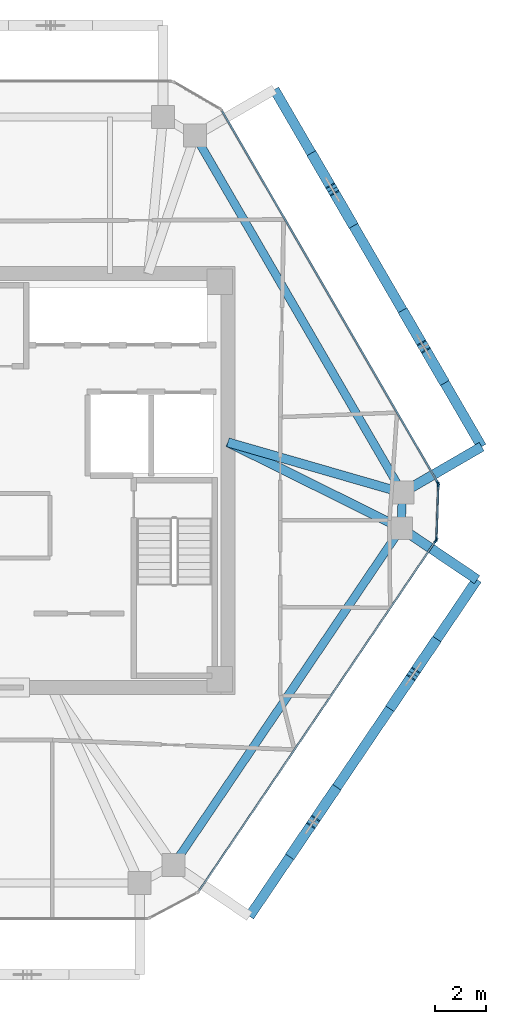
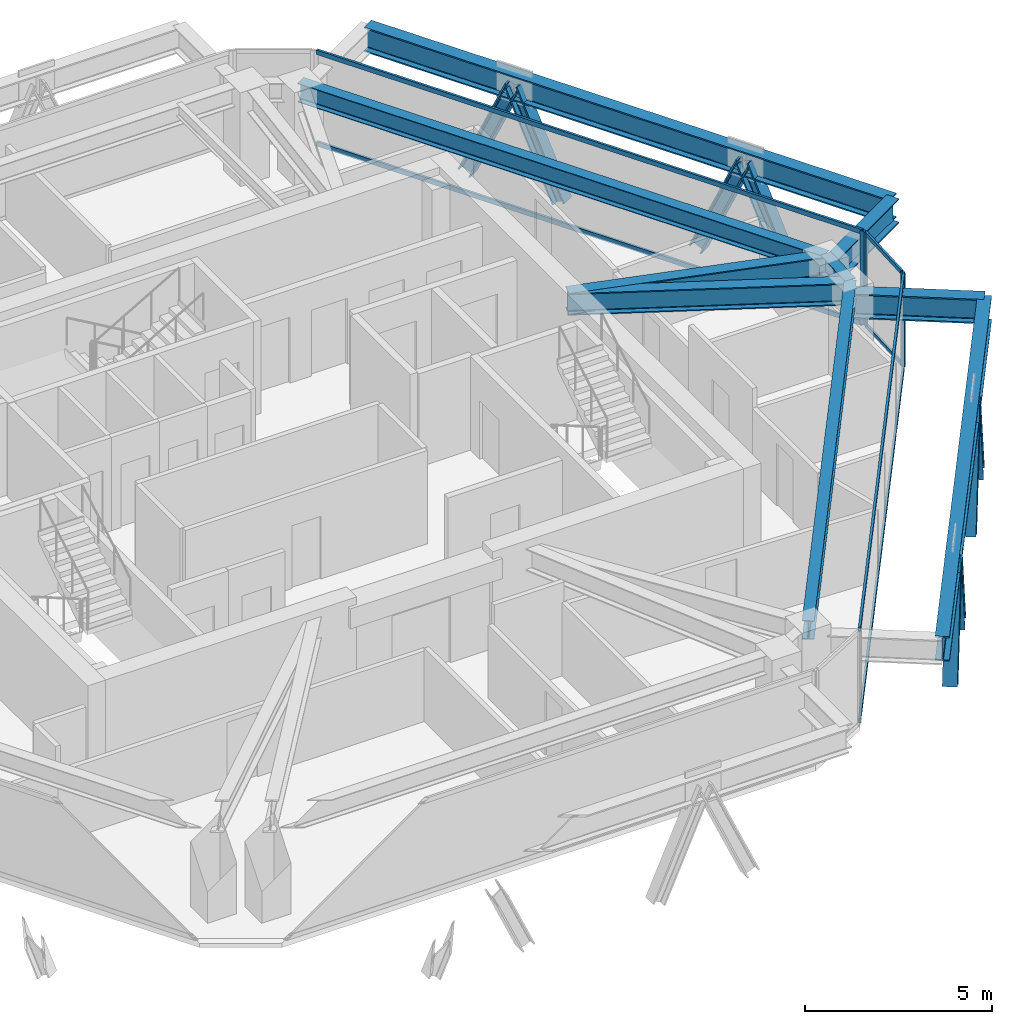
# One storey, part 5 of 12: 18 members, 9 beams, 3 elements without a shape of their own.
"""IFC4 building model written with IfcOpenShell, lengths in metres."""

import ifcopenshell
import ifcopenshell.guid

model = None  # the IFC model being written
_history = None  # IfcOwnerHistory: only IFC2X3 demands one
_inside = {}  # id of a spatial element -> (the spatial element, [elements in it])
_under = {}  # id of a project, library or spatial element -> (it, [spatial elements below it])
_declared = {}  # id of a project -> (the project, [libraries it declares])
_typed = {}  # id of a type object -> (the type object, [elements of that type])
_made_of = {}  # id of a material, layer set ... -> (it, [elements and type objects made of it])


def new_model(schema):
    """Start an empty IFC model of exactly this schema.

    Asked for "IFC4X3", IfcOpenShell would pick the latest addendum, in which some entities
    have other attributes; the version numbers below select the first issue.
    IFC2X3 requires an IfcOwnerHistory on every rooted entity: one is made here for all.
    """
    global model, _history
    if schema == "IFC4X3":
        model = ifcopenshell.file(schema_version=(4, 3, 0, 0))
    else:
        model = ifcopenshell.file(schema=schema)
    _inside.clear()
    _under.clear()
    _declared.clear()
    _typed.clear()
    _made_of.clear()
    _history = None
    if model.schema == "IFC2X3":
        org = make("IfcOrganization", Name="unknown")
        user = make(
            "IfcPersonAndOrganization",
            ThePerson=make("IfcPerson", FamilyName="unknown"),
            TheOrganization=org,
        )
        app = make(
            "IfcApplication",
            ApplicationDeveloper=org,
            Version="unknown",
            ApplicationFullName="unknown",
            ApplicationIdentifier="unknown",
        )
        _history = make(
            "IfcOwnerHistory",
            OwningUser=user,
            OwningApplication=app,
            ChangeAction="ADDED",
            CreationDate=0,
        )
    return model


def make(cls, **values):
    """One entity of the class cls with the attributes given. An attribute that is None is left unset."""
    return model.create_entity(
        cls, **{name: value for name, value in values.items() if value is not None}
    )


def rooted(cls, **values):
    """An entity with a GlobalId (a new one), such as an element, a storey or a relation."""
    return make(cls, GlobalId=ifcopenshell.guid.new(), OwnerHistory=_history, **values)


def si_unit(unit_type, name, prefix=None):
    """IfcSIUnit, for example si_unit("LENGTHUNIT", "METRE", prefix="MILLI")."""
    return make("IfcSIUnit", UnitType=unit_type, Prefix=prefix, Name=name)


def assignment(units):
    """IfcUnitAssignment: the units of a project."""
    return None if units is None else make("IfcUnitAssignment", Units=units)


def point(xyz):
    """IfcCartesianPoint."""
    return None if xyz is None else make("IfcCartesianPoint", Coordinates=xyz)


def direction(xyz):
    """IfcDirection."""
    return None if xyz is None else make("IfcDirection", DirectionRatios=xyz)


def frame(location, z_axis=None, x_axis=None):
    """IfcAxis2Placement3D, a coordinate frame: its origin and axes. An axis left out is left unset."""
    return make(
        "IfcAxis2Placement3D",
        Location=point(location),
        Axis=direction(z_axis),
        RefDirection=direction(x_axis),
    )


def frame_2d(location, x_axis=None):
    """IfcAxis2Placement2D, a coordinate frame in the plane: its origin and x axis."""
    return make(
        "IfcAxis2Placement2D", Location=point(location), RefDirection=direction(x_axis)
    )


def origin():
    """The frame at (0, 0, 0) with its axes left unset."""
    return frame((0.0, 0.0, 0.0))


def origin_2d():
    """The frame at (0, 0) in the plane with its x axis left unset."""
    return frame_2d((0.0, 0.0))


def place(relative_to, where):
    """IfcLocalPlacement: puts the frame where relative to a parent placement (None: the world)."""
    return make(
        "IfcLocalPlacement", PlacementRelTo=relative_to, RelativePlacement=where
    )


def context(
    kind, dimensions, precision=None, world=None, true_north=None, identifier=None
):
    """IfcGeometricRepresentationContext, for example the 3D "Model" context."""
    return make(
        "IfcGeometricRepresentationContext",
        ContextIdentifier=identifier,
        ContextType=kind,
        CoordinateSpaceDimension=dimensions,
        Precision=precision,
        WorldCoordinateSystem=world,
        TrueNorth=true_north,
    )


def subcontext(parent, identifier, kind, view, scale=None):
    """IfcGeometricRepresentationSubContext, for example "Body" below "Model"."""
    return make(
        "IfcGeometricRepresentationSubContext",
        ContextIdentifier=identifier,
        ContextType=kind,
        ParentContext=parent,
        TargetScale=scale,
        TargetView=view,
    )


def project(units=None, contexts=None):
    """IfcProject with its units and contexts."""
    return rooted(
        "IfcProject",
        Name="project",
        RepresentationContexts=contexts,
        UnitsInContext=assignment(units),
    )


def spatial(cls, under=None, at=None, **own):
    """A site, building, storey or space (cls), placed at a placement, below another one or the project."""
    s = rooted(cls, ObjectPlacement=at, **own)
    if under is not None:
        _under.setdefault(under.id(), (under, []))[1].append(s)
    return s


def profile(cls, at=None, kind="AREA", **sizes):
    """A parametric profile (cls). Its sizes go by their IFC names, for example OverallWidth=200.0."""
    return make(cls, ProfileType=kind, Position=at, **sizes)


def rectangle(**sizes):
    """IfcRectangleProfileDef."""
    return profile("IfcRectangleProfileDef", **sizes)


def i_section(**sizes):
    """IfcIShapeProfileDef."""
    return profile("IfcIShapeProfileDef", **sizes)


def extrude(swept, where, along, depth):
    """IfcExtrudedAreaSolid: the profile swept, set in the frame where, extruded along a direction by depth."""
    return make(
        "IfcExtrudedAreaSolid",
        SweptArea=swept,
        Position=where,
        ExtrudedDirection=direction(along),
        Depth=depth,
    )


def shape(context_of_items, identifier, shape_type, items):
    """IfcShapeRepresentation: the items that make up one representation, for example the "Body"."""
    return make(
        "IfcShapeRepresentation",
        ContextOfItems=context_of_items,
        RepresentationIdentifier=identifier,
        RepresentationType=shape_type,
        Items=items,
    )


def source(mapping_origin, context_of_items, identifier, shape_type, items):
    """IfcRepresentationMap: a shape defined once, which mapped items show again and again."""
    return make(
        "IfcRepresentationMap",
        MappingOrigin=mapping_origin,
        MappedRepresentation=shape(context_of_items, identifier, shape_type, items),
    )


def transform(
    local_origin,
    x_axis=None,
    y_axis=None,
    z_axis=None,
    scale=None,
    scale2=None,
    scale3=None,
    uniform=True,
):
    """IfcCartesianTransformationOperator3D, or its non-uniform kind. x_axis, y_axis, z_axis: its Axis1, 2, 3."""
    if uniform:
        return make(
            "IfcCartesianTransformationOperator3D",
            Axis1=direction(x_axis),
            Axis2=direction(y_axis),
            LocalOrigin=point(local_origin),
            Scale=scale,
            Axis3=direction(z_axis),
        )
    return make(
        "IfcCartesianTransformationOperator3DnonUniform",
        Axis1=direction(x_axis),
        Axis2=direction(y_axis),
        LocalOrigin=point(local_origin),
        Scale=scale,
        Axis3=direction(z_axis),
        Scale2=scale2,
        Scale3=scale3,
    )


def mapped(mapping_source, mapping_target):
    """IfcMappedItem: shows the shape of a source again, moved by a transform."""
    return make(
        "IfcMappedItem", MappingSource=mapping_source, MappingTarget=mapping_target
    )


def material(Name=None, Category=None):
    """IfcMaterial."""
    return make("IfcMaterial", Name=Name, Category=Category)


def layer(
    of_material, thickness, ventilated=None, Name=None, Category=None, Priority=None
):
    """IfcMaterialLayer: one layer of a wall or slab, of a material (None: an air gap)."""
    return make(
        "IfcMaterialLayer",
        Material=of_material,
        LayerThickness=thickness,
        IsVentilated=ventilated,
        Name=Name,
        Category=Category,
        Priority=Priority,
    )


def layer_set(layers, Name=None):
    """IfcMaterialLayerSet."""
    return make("IfcMaterialLayerSet", MaterialLayers=layers, LayerSetName=Name)


def material_profile(
    of_material, cross_section, Name=None, Category=None, Priority=None
):
    """IfcMaterialProfile: a cross section and its material."""
    return make(
        "IfcMaterialProfile",
        Name=Name,
        Material=of_material,
        Profile=cross_section,
        Priority=Priority,
        Category=Category,
    )


def profile_set(profiles, Name=None, composite=None):
    """IfcMaterialProfileSet."""
    return make(
        "IfcMaterialProfileSet",
        Name=Name,
        MaterialProfiles=profiles,
        CompositeProfile=composite,
    )


def made_of(thing, what):
    """Note that an element or type object is made of a material, layer set ...; save() writes the relation."""
    if what is not None:
        _made_of.setdefault(what.id(), (what, []))[1].append(thing)
    return thing


def type_object(cls, material=None, **own):
    """A type object (cls), such as IfcWallType, which elements share."""
    return made_of(rooted(cls, **own), material)


def type_shapes(of_type, sources):
    """Give a type object the sources (RepresentationMaps) that its elements show as mapped items."""
    of_type.RepresentationMaps = sources


def element(
    cls,
    number,
    at=None,
    inside=None,
    cuts=None,
    type_object=None,
    material=None,
    context=None,
    identifier="Body",
    shape_type=None,
    held_by="IfcProductDefinitionShape",
    body=None,
    shapes=None,
    **own,
):
    """One element of the class cls, such as IfcWall. Its Tag is "e" and its number.

    at: its placement. inside: the storey or other place that contains it. cuts: it is an
    opening in that element (IfcRelVoidsElement). A single representation is given by context,
    identifier, shape_type and body (its items); several are given by shapes. held_by: the class
    of the entity that holds the representations. save() writes the other relations.
    """
    e = rooted(cls, Tag="e%d" % number, ObjectPlacement=at, **own)
    if body is not None:
        shapes = [shape(context, identifier, shape_type, body)]
    if shapes is not None:
        e.Representation = make(held_by, Representations=shapes)
    if inside is not None:
        _inside.setdefault(inside.id(), (inside, []))[1].append(e)
    if cuts is not None:
        rooted(
            "IfcRelVoidsElement", RelatingBuildingElement=cuts, RelatedOpeningElement=e
        )
    if type_object is not None:
        _typed.setdefault(type_object.id(), (type_object, []))[1].append(e)
    return made_of(e, material)


def aggregate(whole, parts):
    """IfcRelAggregates: a whole, such as a stair, and the parts it consists of."""
    return rooted("IfcRelAggregates", RelatingObject=whole, RelatedObjects=parts)


def save(model, path):
    """Write the relations noted so far, then the file.

    IfcRelAggregates (storeys below a building ...), IfcRelContainedInSpatialStructure (elements
    in a storey), IfcRelDefinesByType, IfcRelAssociatesMaterial and IfcRelDeclares: one each for
    every whole, place, type object, material and project.
    """
    for whole, parts in _under.values():
        aggregate(whole, parts)
    for where, things in _inside.values():
        rooted(
            "IfcRelContainedInSpatialStructure",
            RelatedElements=things,
            RelatingStructure=where,
        )
    for kind, things in _typed.values():
        rooted("IfcRelDefinesByType", RelatedObjects=things, RelatingType=kind)
    for what, things in _made_of.values():
        rooted("IfcRelAssociatesMaterial", RelatedObjects=things, RelatingMaterial=what)
    for by, libraries in _declared.values():
        rooted("IfcRelDeclares", RelatingContext=by, RelatedDefinitions=libraries)
    model.write(path)


model = new_model("IFC4")

# Units and contexts
model_context = context("Model", 3, precision=1e-05, world=origin(), true_north=direction((0.0, 1.0)))
body_context = subcontext(model_context, "Body", "Model", "MODEL_VIEW")
ifc_project = project(units=[si_unit("LENGTHUNIT", "METRE"), si_unit("AREAUNIT", "SQUARE_METRE"), si_unit("VOLUMEUNIT", "CUBIC_METRE"), si_unit("PLANEANGLEUNIT", "RADIAN"), si_unit("MASSUNIT", "GRAM", prefix="KILO")], contexts=[model_context])

# Site, building, storey
site_placement = place(None, origin())
site = spatial("IfcSite", under=ifc_project, at=site_placement, CompositionType="ELEMENT")
building_placement = place(site_placement, origin())
building = spatial("IfcBuilding", under=site, at=building_placement, Name="Durnholm Broadcast Tower", CompositionType="ELEMENT")
storey_placement = place(building_placement, frame((0.0, 0.0, 221.60009765625)))
storey = spatial("IfcBuildingStorey", under=building, at=storey_placement, Name="L61", CompositionType="ELEMENT", Elevation=221.60009765625)

# Beams
ifc_material_1 = material(Name="Steel ASTM A992 Grade 50", Category="steel")
ifc_material_profile_1 = material_profile(ifc_material_1, i_section(OverallWidth=0.385009765625, OverallDepth=0.802978515625, WebThickness=0.023681640625, FlangeThickness=0.0419921875, FilletRadius=0.032958984375, at=origin_2d()), Name="W30X261")
ifc_profile_set_1 = profile_set([ifc_material_profile_1], Name="Steel ASTM A992 Grade 50")
beam_type_1 = type_object("IfcBeamType", Name="BM-EXO-TIE", PredefinedType="USERDEFINED", material=ifc_profile_set_1)
shared_shape_1 = source(origin(), body_context, "Body", "SweptSolid", [
    extrude(i_section(OverallWidth=0.385009765625, OverallDepth=0.802978515625, WebThickness=0.023681640625, FlangeThickness=0.0419921875, FilletRadius=0.032958984375, at=origin_2d()), origin(), (0.0, 0.0, 1.0), 3.4560546875),
])
beam_1_placement = place(storey_placement, frame((17.0947265625, -0.40380859375, 2.308349609375), z_axis=(0.864924479231, 0.501902027518, 0.0), x_axis=(-0.501902027518, 0.864924479231, 0.0)))
element("IfcBeam", 1, at=beam_1_placement, inside=storey, type_object=beam_type_1, Name="L61 exoskeleton stand-off tie bracket F3.1", ObjectType="GIRDER", PredefinedType="USERDEFINED", context=body_context, shape_type="MappedRepresentation", body=[
    mapped(shared_shape_1, transform((0.0, 0.0, 0.0), x_axis=(1.0, 0.0, 0.0), y_axis=(0.0, 1.0, 0.0), z_axis=(0.0, 0.0, 1.0), scale=1.0)),
])
shared_shape_2 = source(origin(), body_context, "Body", "SweptSolid", [
    extrude(i_section(OverallWidth=0.385009765625, OverallDepth=0.802978515625, WebThickness=0.023681640625, FlangeThickness=0.0419921875, FilletRadius=0.032958984375, at=origin_2d()), origin(), (0.0, 0.0, 1.0), 3.455810546875),
])
beam_2_placement = place(storey_placement, frame((17.041748046875, -1.95068359375, 2.308349609375), z_axis=(0.828446342252, -0.560068440469, 0.0), x_axis=(0.560068440469, 0.828446342252, 0.0)))
element("IfcBeam", 2, at=beam_2_placement, inside=storey, type_object=beam_type_1, Name="L61 exoskeleton stand-off tie bracket F2.2", ObjectType="GIRDER", PredefinedType="USERDEFINED", context=body_context, shape_type="MappedRepresentation", body=[
    mapped(shared_shape_2, transform((0.0, 0.0, 0.0), x_axis=(1.0, 0.0, 0.0), y_axis=(0.0, 1.0, 0.0), z_axis=(0.0, 0.0, 1.0), scale=1.0)),
])
ifc_material_profile_2 = material_profile(ifc_material_1, i_section(OverallWidth=0.3251953125, OverallDepth=0.6162109375, WebThickness=0.013916015625, FlangeThickness=0.021484375, FilletRadius=0.02783203125, at=origin_2d()), Name="W24X117")
ifc_profile_set_2 = profile_set([ifc_material_profile_2], Name="Steel ASTM A992 Grade 50")
beam_type_2 = type_object("IfcBeamType", Name="STL-SP-W24X117", PredefinedType="SPANDREL", material=ifc_profile_set_2)
shared_shape_3 = source(origin(), body_context, "Body", "SweptSolid", [
    extrude(i_section(OverallWidth=0.3251953125, OverallDepth=0.6162109375, WebThickness=0.013916015625, FlangeThickness=0.021484375, FilletRadius=0.02783203125, at=origin_2d()), origin(), (0.0, 0.0, 1.0), 1.39453125),
])
beam_3_placement = place(storey_placement, frame((16.97021484375, -0.47607421875, 2.73681640625), z_axis=(-0.034311541846, -0.999411185697, 0.0), x_axis=(0.999411185697, -0.034311541846, 0.0)))
element("IfcBeam", 3, at=beam_3_placement, inside=storey, type_object=beam_type_2, Name="L61 perimeter spandrel girder 08", PredefinedType="SPANDREL", context=body_context, shape_type="MappedRepresentation", body=[
    mapped(shared_shape_3, transform((0.0, 0.0, 0.0), x_axis=(1.0, 0.0, 0.0), y_axis=(0.0, 1.0, 0.0), z_axis=(0.0, 0.0, 1.0), scale=1.0)),
])
shared_shape_4 = source(origin(), body_context, "Body", "SweptSolid", [
    extrude(i_section(OverallWidth=0.3251953125, OverallDepth=0.6162109375, WebThickness=0.013916015625, FlangeThickness=0.021484375, FilletRadius=0.02783203125, at=origin_2d()), origin(), (0.0, 0.0, 1.0), 15.947265625),
])
beam_4_placement = place(storey_placement, frame((16.92236328125, -1.869873046875, 2.73681640625), z_axis=(-0.560062212489, -0.828450552623, 0.0), x_axis=(0.828450552623, -0.560062212489, 0.0)))
element("IfcBeam", 4, at=beam_4_placement, inside=storey, type_object=beam_type_2, Name="L61 perimeter spandrel girder 09", PredefinedType="SPANDREL", context=body_context, shape_type="MappedRepresentation", body=[
    mapped(shared_shape_4, transform((0.0, 0.0, 0.0), x_axis=(1.0, 0.0, 0.0), y_axis=(0.0, 1.0, 0.0), z_axis=(0.0, 0.0, 1.0), scale=1.0)),
])
shared_shape_5 = source(origin(), body_context, "Body", "SweptSolid", [
    extrude(i_section(OverallWidth=0.3251953125, OverallDepth=0.6162109375, WebThickness=0.013916015625, FlangeThickness=0.021484375, FilletRadius=0.02783203125, at=origin_2d()), origin(), (0.0, 0.0, 1.0), 16.20263671875),
])
type_shapes(beam_type_2, [shared_shape_3, shared_shape_4, shared_shape_5])
beam_5_placement = place(storey_placement, frame((8.83740234375, 13.53759765625, 2.73681640625), z_axis=(0.501943573333, -0.864900369516, 0.0), x_axis=(0.864900369516, 0.501943573333, 0.0)))
element("IfcBeam", 5, at=beam_5_placement, inside=storey, type_object=beam_type_2, Name="L61 perimeter spandrel girder 07", PredefinedType="SPANDREL", context=body_context, shape_type="MappedRepresentation", body=[
    mapped(shared_shape_5, transform((0.0, 0.0, 0.0), x_axis=(1.0, 0.0, 0.0), y_axis=(0.0, 1.0, 0.0), z_axis=(0.0, 0.0, 1.0), scale=1.0)),
])
shared_shape_6 = source(origin(), body_context, "Body", "SweptSolid", [
    extrude(i_section(OverallWidth=0.385009765625, OverallDepth=0.802978515625, WebThickness=0.023681640625, FlangeThickness=0.0419921875, FilletRadius=0.032958984375, at=origin_2d()), origin(), (0.0, 0.0, 1.0), 15.947021484375),
])
beam_6_placement = place(storey_placement, frame((10.973388671875, -17.097412109375, 2.308349609375), z_axis=(0.560069315853, 0.828445750451, 0.0), x_axis=(-0.828445750451, 0.560069315853, 0.0)))
element("IfcBeam", 6, at=beam_6_placement, inside=storey, type_object=beam_type_1, Name="L61 exoskeleton collector spandrel F2", PredefinedType="SPANDREL", context=body_context, shape_type="MappedRepresentation", body=[
    mapped(shared_shape_6, transform((0.0, 0.0, 0.0), x_axis=(1.0, 0.0, 0.0), y_axis=(0.0, 1.0, 0.0), z_axis=(0.0, 0.0, 1.0), scale=1.0)),
])
shared_shape_7 = source(origin(), body_context, "Body", "SweptSolid", [
    extrude(i_section(OverallWidth=0.385009765625, OverallDepth=0.802978515625, WebThickness=0.023681640625, FlangeThickness=0.0419921875, FilletRadius=0.032958984375, at=origin_2d()), origin(), (0.0, 0.0, 1.0), 16.202880859375),
])
type_shapes(beam_type_1, [shared_shape_1, shared_shape_2, shared_shape_6, shared_shape_7])
beam_7_placement = place(storey_placement, frame((20.083984375, 1.330810546875, 2.308349609375), z_axis=(-0.501948303381, 0.864897624423, 0.0), x_axis=(-0.864897624423, -0.501948303381, 0.0)))
element("IfcBeam", 7, at=beam_7_placement, inside=storey, type_object=beam_type_1, Name="L61 exoskeleton collector spandrel F3", PredefinedType="SPANDREL", context=body_context, shape_type="MappedRepresentation", body=[
    mapped(shared_shape_7, transform((0.0, 0.0, 0.0), x_axis=(1.0, 0.0, 0.0), y_axis=(0.0, 1.0, 0.0), z_axis=(0.0, 0.0, 1.0), scale=1.0)),
])
ifc_material_profile_3 = material_profile(ifc_material_1, i_section(OverallWidth=0.3564453125, OverallDepth=0.713623046875, WebThickness=0.01904296875, FlangeThickness=0.033935546875, FilletRadius=0.030517578125, at=origin_2d()), Name="W27X194")
ifc_profile_set_3 = profile_set([ifc_material_profile_3], Name="Steel ASTM A992 Grade 50")
beam_type_3 = type_object("IfcBeamType", Name="STL-GR-W27X194", PredefinedType="USERDEFINED", material=ifc_profile_set_3)
shared_shape_8 = source(origin(), body_context, "Body", "SweptSolid", [
    extrude(i_section(OverallWidth=0.3564453125, OverallDepth=0.713623046875, WebThickness=0.01904296875, FlangeThickness=0.033935546875, FilletRadius=0.030517578125, at=origin_2d()), origin(), (0.0, 0.0, 1.0), 7.124755859375),
])
beam_8_placement = place(storey_placement, frame((10.125, 1.5, 2.68798828125), z_axis=(0.960767767054, -0.277354101809, 0.0), x_axis=(0.277354101809, 0.960767767054, 0.0)))
element("IfcBeam", 8, at=beam_8_placement, inside=storey, type_object=beam_type_3, Name="L61 radial primary floor girder 08", ObjectType="GIRDER", PredefinedType="USERDEFINED", context=body_context, shape_type="MappedRepresentation", body=[
    mapped(shared_shape_8, transform((0.0, 0.0, 0.0), x_axis=(1.0, 0.0, 0.0), y_axis=(0.0, 1.0, 0.0), z_axis=(0.0, 0.0, 1.0), scale=1.0)),
])
shared_shape_9 = source(origin(), body_context, "Body", "SweptSolid", [
    extrude(i_section(OverallWidth=0.3564453125, OverallDepth=0.713623046875, WebThickness=0.01904296875, FlangeThickness=0.033935546875, FilletRadius=0.030517578125, at=origin_2d()), origin(), (0.0, 0.0, 1.0), 7.5869140625),
])
type_shapes(beam_type_3, [shared_shape_8, shared_shape_9])
beam_9_placement = place(storey_placement, frame((10.125, 1.5, 2.68798828125), z_axis=(0.895940903598, -0.444173273916, 0.0), x_axis=(0.444173273916, 0.895940903598, 0.0)))
element("IfcBeam", 9, at=beam_9_placement, inside=storey, type_object=beam_type_3, Name="L61 radial primary floor girder 09", ObjectType="GIRDER", PredefinedType="USERDEFINED", context=body_context, shape_type="MappedRepresentation", body=[
    mapped(shared_shape_9, transform((0.0, 0.0, 0.0), x_axis=(1.0, 0.0, 0.0), y_axis=(0.0, 1.0, 0.0), z_axis=(0.0, 0.0, 1.0), scale=1.0)),
])

# Members
ifc_material_2 = material(Name="Steel ASTM A913 Grade 65", Category="steel")
ifc_material_profile_4 = material_profile(ifc_material_2, i_section(OverallWidth=0.40625, OverallDepth=0.416015625, WebThickness=0.02978515625, FlangeThickness=0.048095703125, FilletRadius=0.030517578125, at=origin_2d()), Name="W14X257")
ifc_profile_set_4 = profile_set([ifc_material_profile_4], Name="Steel ASTM A913 Grade 65")
member_type_1 = type_object("IfcMemberType", Name="STL-DG-W14X257", PredefinedType="BRACE", material=ifc_profile_set_4)
shared_shape_10 = source(origin(), body_context, "Body", "SweptSolid", [
    extrude(i_section(OverallWidth=0.40625, OverallDepth=0.416015625, WebThickness=0.02978515625, FlangeThickness=0.048095703125, FilletRadius=0.030517578125, at=origin_2d()), origin(), (0.0, 0.0, 1.0), 3.607666015625),
])
type_shapes(member_type_1, [shared_shape_10])
for number, where, z_axis, x_axis, name in (
    (10, (12.657470703125, -14.6064453125, -0.991455078125), (0.226363144823, 0.334909178992, 0.914655983686), (-0.828505003222, 0.559981660089, 0.0), "L61 stand-off diagrid brace F2.D1.1"),
    (11, (14.290771484375, -12.190185546875, -0.991455078125), (-0.226368274775, -0.334849095242, 0.914676712063), (0.828452496411, -0.560059337206, 0.0), "L61 stand-off diagrid brace F2.D1.2"),
    (12, (16.58740234375, -8.79345703125, -0.991455078125), (0.226363144823, 0.334909178992, 0.914655983686), (-0.828505003222, 0.559981660089, 0.0), "L61 stand-off diagrid brace F2.D2.1"),
    (13, (18.220703125, -6.377197265625, -0.991455078125), (-0.226368274775, -0.334849095242, 0.914676712063), (0.828452496411, -0.560059337206, 0.0), "L61 stand-off diagrid brace F2.D2.2"),
    (14, (18.53857421875, 3.99365234375, -0.991455078125), (-0.202883747207, 0.34959887861, 0.914668688211), (-0.864906184135, -0.501933554014, 0.0), "L61 stand-off diagrid brace F3.D1.1"),
    (15, (17.07470703125, 6.51611328125, -0.991455078125), (0.202883747207, -0.34959887861, 0.914668688211), (0.864906184135, 0.501933554014, 0.0), "L61 stand-off diagrid brace F3.D1.2"),
    (16, (14.960205078125, 10.15966796875, -0.991455078125), (-0.202883747207, 0.34959887861, 0.914668688211), (-0.864906184135, -0.501933554014, 0.0), "L61 stand-off diagrid brace F3.D2.1"),
    (17, (13.496337890625, 12.681884765625, -0.991455078125), (0.202888546821, -0.349539474427, 0.914690326496), (0.864863994925, 0.502006245263, 0.0), "L61 stand-off diagrid brace F3.D2.2"),
):
    element("IfcMember", number, at=place(storey_placement, frame(where, z_axis=z_axis, x_axis=x_axis)), inside=storey, type_object=member_type_1, Name=name, PredefinedType="BRACE", context=body_context, shape_type="MappedRepresentation", body=[
        mapped(shared_shape_10, transform((0.0, 0.0, 0.0), x_axis=(1.0, 0.0, 0.0), y_axis=(0.0, 1.0, 0.0), z_axis=(0.0, 0.0, 1.0), scale=1.0)),
    ])

# Curtain wall, members
ifc_material_3 = material(Name="Aluminium and Solar Control IGU", Category="aluminium")
ifc_layer_1 = layer(ifc_material_3, 0.1650390625)
ifc_layer_set_1 = layer_set([ifc_layer_1], Name="Aluminium and Solar Control IGU")
curtain_wall_type_1 = type_object("IfcCurtainWallType", Name="CW-SYS-5", PredefinedType="NOTDEFINED", material=ifc_layer_set_1)
curtain_wall_1_placement = place(storey_placement, origin())
curtain_wall_1 = element("IfcCurtainWall", 18, at=curtain_wall_1_placement, inside=storey, type_object=curtain_wall_type_1, Name="L61 curtain wall CW-CORNER CW-L61-CRN-07", PredefinedType="NOTDEFINED")
ifc_material_4 = material(Name="Aluminium 6063-T6", Category="aluminium")
ifc_material_profile_5 = material_profile(ifc_material_4, rectangle(XDim=0.06494140625, YDim=0.1298828125, at=origin_2d()), Name="CWT65X130")
ifc_profile_set_5 = profile_set([ifc_material_profile_5], Name="Aluminium 6063-T6")
member_type_2 = type_object("IfcMemberType", Name="CW-SYS-5-TRN", PredefinedType="USERDEFINED", material=ifc_profile_set_5)
shared_shape_11 = source(origin(), body_context, "Body", "SweptSolid", [
    extrude(rectangle(XDim=0.06494140625, YDim=0.1298828125, at=origin_2d()), origin(), (0.0, 0.0, 1.0), 2.06982421875),
])
type_shapes(member_type_2, [shared_shape_11])
member_1_placement = place(storey_placement, frame((18.381103515625, -0.186767578125, 0.032470703125), z_axis=(-0.034324150719, -0.999410752733, 0.0), x_axis=(0.999410752733, -0.034324150719, 0.0)))
member_1 = element("IfcMember", 19, at=member_1_placement, type_object=member_type_2, Name="CW-CORNER transom 1.1", ObjectType="TRANSOM", PredefinedType="USERDEFINED", context=body_context, shape_type="MappedRepresentation", body=[
    mapped(shared_shape_11, transform((0.0, 0.0, 0.0), x_axis=(1.0, 0.0, 0.0), y_axis=(0.0, 1.0, 0.0), z_axis=(0.0, 0.0, 1.0), scale=1.0)),
])
member_2_placement = place(storey_placement, frame((18.381103515625, -0.186767578125, 3.02734375), z_axis=(-0.034324150719, -0.999410752733, 0.0), x_axis=(0.999410752733, -0.034324150719, 0.0)))
member_2 = element("IfcMember", 20, at=member_2_placement, type_object=member_type_2, Name="CW-CORNER transom 1.2", ObjectType="TRANSOM", PredefinedType="USERDEFINED", context=body_context, shape_type="MappedRepresentation", body=[
    mapped(shared_shape_11, transform((0.0, 0.0, 0.0), x_axis=(1.0, 0.0, 0.0), y_axis=(0.0, 1.0, 0.0), z_axis=(0.0, 0.0, 1.0), scale=1.0)),
])
ifc_material_profile_6 = material_profile(ifc_material_4, rectangle(XDim=0.06494140625, YDim=0.1650390625, at=origin_2d()), Name="CWM65X165")
ifc_profile_set_6 = profile_set([ifc_material_profile_6], Name="Aluminium 6063-T6")
member_type_3 = type_object("IfcMemberType", Name="CW-SYS-5-MUL", PredefinedType="MULLION", material=ifc_profile_set_6)
shared_shape_12 = source(origin(), body_context, "Body", "SweptSolid", [
    extrude(rectangle(XDim=0.06494140625, YDim=0.1650390625, at=origin_2d()), origin(), (0.0, 0.0, 1.0), 3.059814453125),
])
type_shapes(member_type_3, [shared_shape_12])
member_3_placement = place(storey_placement, frame((18.382080078125, -0.154296875, 0.0), z_axis=(0.0, 0.0, 1.0), x_axis=(0.999410955514, -0.034318245849, 0.0)))
member_3 = element("IfcMember", 21, at=member_3_placement, type_object=member_type_3, Name="CW-CORNER mullion 1", PredefinedType="MULLION", context=body_context, shape_type="MappedRepresentation", body=[
    mapped(shared_shape_12, transform((0.0, 0.0, 0.0), x_axis=(1.0, 0.0, 0.0), y_axis=(0.0, 1.0, 0.0), z_axis=(0.0, 0.0, 1.0), scale=1.0)),
])
member_4_placement = place(storey_placement, frame((18.308837890625, -2.287841796875, 0.0), z_axis=(0.0, 0.0, 1.0), x_axis=(0.999410955514, -0.034318245849, 0.0)))
member_4 = element("IfcMember", 22, at=member_4_placement, type_object=member_type_3, Name="CW-CORNER mullion 2", PredefinedType="MULLION", context=body_context, shape_type="MappedRepresentation", body=[
    mapped(shared_shape_12, transform((0.0, 0.0, 0.0), x_axis=(1.0, 0.0, 0.0), y_axis=(0.0, 1.0, 0.0), z_axis=(0.0, 0.0, 1.0), scale=1.0)),
])
aggregate(curtain_wall_1, [member_3, member_4, member_1, member_2])

# Curtain wall, member
ifc_layer_2 = layer(ifc_material_3, 0.18994140625)
ifc_layer_set_2 = layer_set([ifc_layer_2], Name="Aluminium and Solar Control IGU")
curtain_wall_type_2 = type_object("IfcCurtainWallType", Name="CW-SYS-4", PredefinedType="NOTDEFINED", material=ifc_layer_set_2)
curtain_wall_2_placement = place(storey_placement, origin())
curtain_wall_2 = element("IfcCurtainWall", 23, at=curtain_wall_2_placement, inside=storey, type_object=curtain_wall_type_2, Name="L61 curtain wall CW-Z34-VIS CW-L61-F06", PredefinedType="NOTDEFINED")
ifc_material_profile_7 = material_profile(ifc_material_4, rectangle(XDim=0.070068359375, YDim=0.18994140625, at=origin_2d()), Name="CWM70X190")
ifc_profile_set_7 = profile_set([ifc_material_profile_7], Name="Aluminium 6063-T6")
member_type_4 = type_object("IfcMemberType", Name="CW-SYS-4-MUL", PredefinedType="MULLION", material=ifc_profile_set_7)
shared_shape_13 = source(origin(), body_context, "Body", "SweptSolid", [
    extrude(rectangle(XDim=0.070068359375, YDim=0.18994140625, at=origin_2d()), origin(), (0.0, 0.0, 1.0), 3.059814453125),
])
type_shapes(member_type_4, [shared_shape_13])
member_5_placement = place(storey_placement, frame((18.36572265625, -0.09130859375, 0.0), z_axis=(0.0, 0.0, 1.0), x_axis=(0.864899883824, 0.50194441023, 0.0)))
member_5 = element("IfcMember", 24, at=member_5_placement, type_object=member_type_4, Name="CW-Z34-VIS mullion 2", PredefinedType="MULLION", context=body_context, shape_type="MappedRepresentation", body=[
    mapped(shared_shape_13, transform((0.0, 0.0, 0.0), x_axis=(1.0, 0.0, 0.0), y_axis=(0.0, 1.0, 0.0), z_axis=(0.0, 0.0, 1.0), scale=1.0)),
])

# Curtain wall, members
curtain_wall_3_placement = place(storey_placement, origin())
curtain_wall_3 = element("IfcCurtainWall", 25, at=curtain_wall_3_placement, inside=storey, type_object=curtain_wall_type_2, Name="L61 curtain wall CW-Z34-VIS CW-L61-F08", PredefinedType="NOTDEFINED")
member_6_placement = place(storey_placement, frame((18.2880859375, -2.349365234375, 0.0), z_axis=(0.0, 0.0, 1.0), x_axis=(0.828443431662, -0.560072745753, 0.0)))
member_6 = element("IfcMember", 26, at=member_6_placement, type_object=member_type_4, Name="CW-Z34-VIS mullion 1", PredefinedType="MULLION", context=body_context, shape_type="MappedRepresentation", body=[
    mapped(shared_shape_13, transform((0.0, 0.0, 0.0), x_axis=(1.0, 0.0, 0.0), y_axis=(0.0, 1.0, 0.0), z_axis=(0.0, 0.0, 1.0), scale=1.0)),
])
ifc_material_profile_8 = material_profile(ifc_material_4, rectangle(XDim=0.070068359375, YDim=0.14990234375, at=origin_2d()), Name="CWT70X150")
ifc_profile_set_8 = profile_set([ifc_material_profile_8], Name="Aluminium 6063-T6")
member_type_5 = type_object("IfcMemberType", Name="CW-SYS-4-TRN", PredefinedType="USERDEFINED", material=ifc_profile_set_8)
shared_shape_14 = source(origin(), body_context, "Body", "SweptSolid", [
    extrude(rectangle(XDim=0.070068359375, YDim=0.14990234375, at=origin_2d()), origin(), (0.0, 0.0, 1.0), 16.55859375),
])
member_7_placement = place(storey_placement, frame((18.2685546875, -2.37841796875, 0.034912109375), z_axis=(-0.560071338091, -0.828444383317, 0.0), x_axis=(0.828444383317, -0.560071338091, 0.0)))
member_7 = element("IfcMember", 27, at=member_7_placement, type_object=member_type_5, Name="CW-Z34-VIS transom 1.1", ObjectType="TRANSOM", PredefinedType="USERDEFINED", context=body_context, shape_type="MappedRepresentation", body=[
    mapped(shared_shape_14, transform((0.0, 0.0, 0.0), x_axis=(1.0, 0.0, 0.0), y_axis=(0.0, 1.0, 0.0), z_axis=(0.0, 0.0, 1.0), scale=1.0)),
])
member_8_placement = place(storey_placement, frame((18.2685546875, -2.37841796875, 3.02490234375), z_axis=(-0.560071338091, -0.828444383317, 0.0), x_axis=(0.828444383317, -0.560071338091, 0.0)))
member_8 = element("IfcMember", 28, at=member_8_placement, type_object=member_type_5, Name="CW-Z34-VIS transom 1.2", ObjectType="TRANSOM", PredefinedType="USERDEFINED", context=body_context, shape_type="MappedRepresentation", body=[
    mapped(shared_shape_14, transform((0.0, 0.0, 0.0), x_axis=(1.0, 0.0, 0.0), y_axis=(0.0, 1.0, 0.0), z_axis=(0.0, 0.0, 1.0), scale=1.0)),
])
aggregate(curtain_wall_3, [member_6, member_7, member_8])

# Member
shared_shape_15 = source(origin(), body_context, "Body", "SweptSolid", [
    extrude(rectangle(XDim=0.070068359375, YDim=0.14990234375, at=origin_2d()), origin(), (0.0, 0.0, 1.0), 16.83984375),
])
type_shapes(member_type_5, [shared_shape_14, shared_shape_15])
member_9_placement = place(storey_placement, frame((9.8955078125, 14.503662109375, 0.034912109375), z_axis=(0.501945239029, -0.86489940283, 0.0), x_axis=(0.86489940283, 0.501945239029, 0.0)))
member_9 = element("IfcMember", 29, at=member_9_placement, type_object=member_type_5, Name="CW-Z34-VIS transom 1.1", ObjectType="TRANSOM", PredefinedType="USERDEFINED", context=body_context, shape_type="MappedRepresentation", body=[
    mapped(shared_shape_15, transform((0.0, 0.0, 0.0), x_axis=(1.0, 0.0, 0.0), y_axis=(0.0, 1.0, 0.0), z_axis=(0.0, 0.0, 1.0), scale=1.0)),
])

member_10_placement = place(storey_placement, frame((9.8955078125, 14.503662109375, 3.02490234375), z_axis=(0.501945239029, -0.86489940283, 0.0), x_axis=(0.86489940283, 0.501945239029, 0.0)))
member_10 = element("IfcMember", 30, at=member_10_placement, type_object=member_type_5, Name="CW-Z34-VIS transom 1.2", ObjectType="TRANSOM", PredefinedType="USERDEFINED", context=body_context, shape_type="MappedRepresentation", body=[
    mapped(shared_shape_15, transform((0.0, 0.0, 0.0), x_axis=(1.0, 0.0, 0.0), y_axis=(0.0, 1.0, 0.0), z_axis=(0.0, 0.0, 1.0), scale=1.0)),
])

aggregate(curtain_wall_2, [member_5, member_9, member_10])

save(model, "model.ifc")
